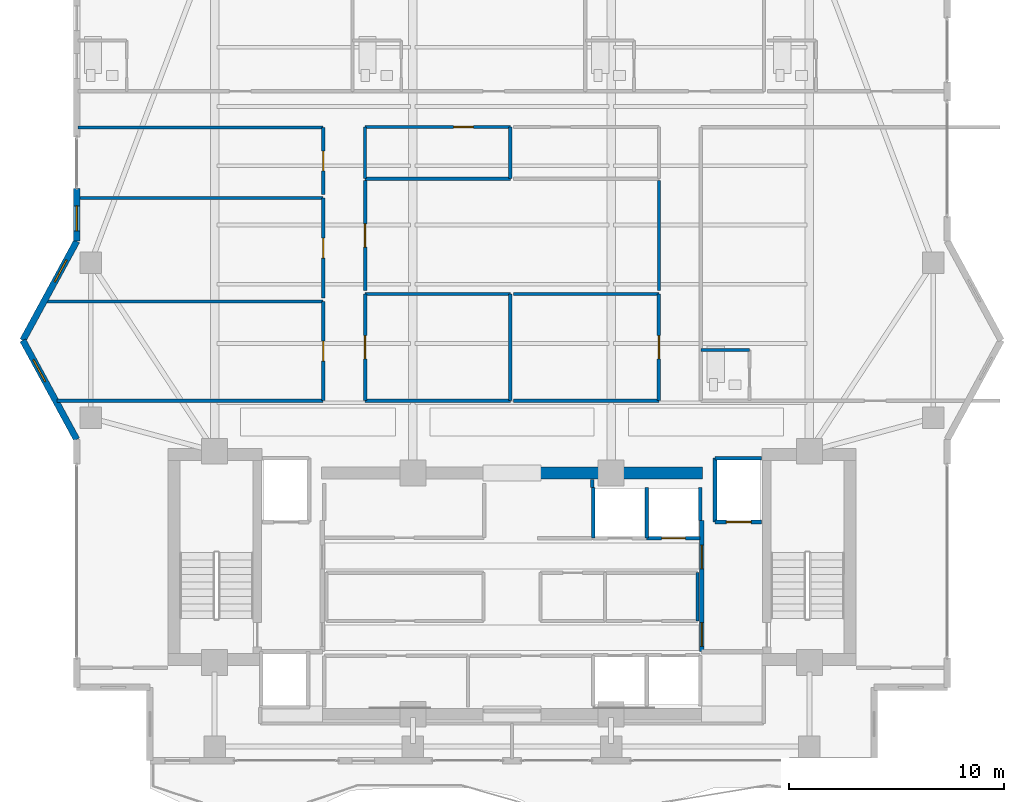
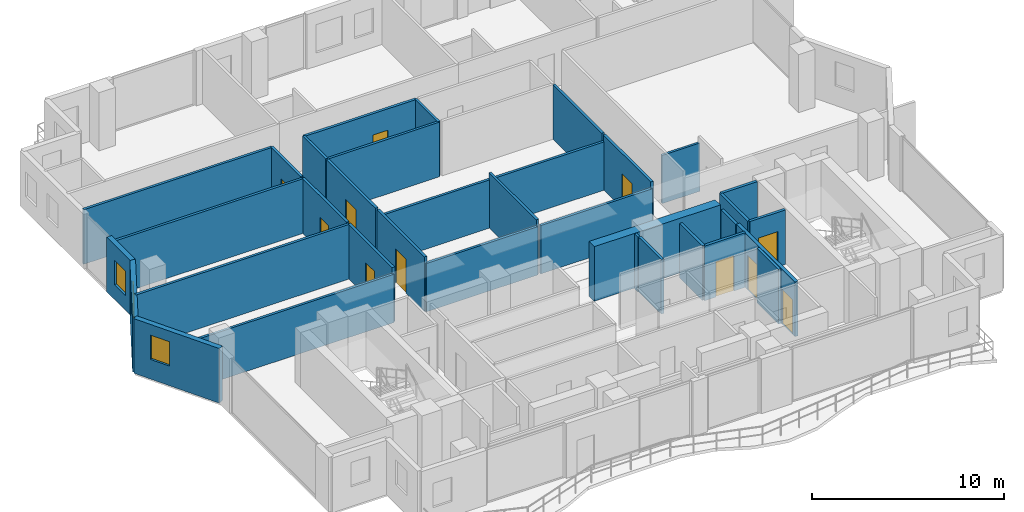
# One storey, part 18 of 23: 35 walls, 11 doors, 3 windows, 14 openings.
"""IFC4 building model written with IfcOpenShell, lengths in metres."""

from ifc_helpers import new_model, si_unit, direction, frame, frame_2d, origin, place, context, subcontext, project, spatial, rectangle, extrude, material, layer, layer_set, type_object, element, fill, save


model = new_model("IFC4")

# Units and contexts
model_context = context("Model", 3, precision=1e-05, world=origin(), true_north=direction((0.0, 1.0)))
body_context = subcontext(model_context, "Body", "Model", "MODEL_VIEW")
ifc_project = project(units=[si_unit("LENGTHUNIT", "METRE"), si_unit("AREAUNIT", "SQUARE_METRE"), si_unit("VOLUMEUNIT", "CUBIC_METRE"), si_unit("PLANEANGLEUNIT", "RADIAN"), si_unit("MASSUNIT", "GRAM", prefix="KILO")], contexts=[model_context])

# Site, building, storey
site_placement = place(None, origin())
site = spatial("IfcSite", under=ifc_project, at=site_placement, CompositionType="ELEMENT")
building_placement = place(site_placement, origin())
building = spatial("IfcBuilding", under=site, at=building_placement, Name="Zuhayl Quay Hotel", CompositionType="ELEMENT")
storey_placement = place(building_placement, frame((0.0, 0.0, 261.85009765625)))
storey = spatial("IfcBuildingStorey", under=building, at=storey_placement, Name="L66", CompositionType="ELEMENT", Elevation=261.85009765625)

# Wall
ifc_material_1 = material(Name="Concrete C50/60", Category="concrete")
ifc_layer_1 = layer(ifc_material_1, 0.550048828125, Name="Concrete C50/60", Category="concrete")
ifc_layer_set_1 = layer_set([ifc_layer_1], Name="Concrete C50/60")
wall_type_1 = type_object("IfcWallType", Name="WL_CORE_550", PredefinedType="SHEAR", material=ifc_layer_set_1)
wall_1_placement = place(storey_placement, frame((1.25, 13.35009765625, 0.0), z_axis=(0.0, 0.0, 1.0), x_axis=(1.0, 0.0, 0.0)))
element("IfcWall", 1, at=wall_1_placement, inside=storey, type_object=wall_type_1, Name="L66 Core Shear Wall CW_NC_E", PredefinedType="SHEAR", context=body_context, shape_type="SweptSolid", body=[
    extrude(rectangle(XDim=7.60009765625, YDim=0.550048828125, at=frame_2d((3.800048828125, 0.0))), origin(), (0.0, 0.0, 1.0), 3.47998046875),
])

# Wall, opening, window
ifc_material_2 = material(Name="Precast concrete C45/55", Category="concrete")
ifc_layer_2 = layer(ifc_material_2, 0.300048828125, Name="Precast concrete C45/55", Category="concrete")
ifc_layer_set_2 = layer_set([ifc_layer_2], Name="Precast concrete C45/55")
wall_type_2 = type_object("IfcWallType", Name="WL_EXT_300", PredefinedType="STANDARD", material=ifc_layer_set_2)
wall_2_placement = place(storey_placement, frame((-20.199951171875, 14.89990234375, 0.0), z_axis=(0.0, 0.0, 1.0), x_axis=(-0.477505494629, 0.878628762675, 0.0)))
wall_2 = element("IfcWall", 2, at=wall_2_placement, inside=storey, type_object=wall_type_2, Name="L66 Exterior Precast Wall ENV_L66_EW03", PredefinedType="STANDARD", context=body_context, shape_type="SweptSolid", body=[
    extrude(rectangle(XDim=5.235595703125, YDim=0.300048828125, at=frame_2d((2.61767578125, 0.0))), origin(), (0.0, 0.0, 1.0), 3.47998046875),
])
opening_1_placement = place(wall_2_placement, frame((3.062744140625, 0.0, 1.25)))
opening_1 = element("IfcOpeningElement", 3, at=opening_1_placement, cuts=wall_2, Name="Opening W01N", PredefinedType="OPENING", context=body_context, shape_type="SweptSolid", body=[
    extrude(rectangle(XDim=1.14990234375, YDim=1.550048828125, at=frame_2d((0.574951171875, 0.77490234375))), frame((0.0, 0.159912109375, 0.0), z_axis=(0.0, -1.0, 0.0), x_axis=(1.0, 0.0, 0.0)), (0.0, 0.0, 1.0), 0.320068359375),
])
ifc_material_3 = material(Name="Dark Ceramic-Fritted Solar Glass", Category="glass")
window_type = type_object("IfcWindowType", Name="WN_NOTCH_1350", PartitioningType="SINGLE_PANEL", PredefinedType="WINDOW", material=ifc_material_3)
window_1_placement = place(opening_1_placement, origin())
window_1 = element("IfcWindow", 4, at=window_1_placement, inside=storey, type_object=window_type, Name="L66 Corner Notch Window 3", OverallHeight=1.550048828125, OverallWidth=1.14990234375, PartitioningType="SINGLE_PANEL", PredefinedType="WINDOW", context=body_context, shape_type="SweptSolid", body=[
    extrude(rectangle(XDim=1.14990234375, YDim=1.550048828125, at=frame_2d((0.574951171875, 0.77490234375))), frame((0.0, 0.030029296875, 0.0), z_axis=(0.0, -1.0, 0.0), x_axis=(1.0, 0.0, 0.0)), (0.0, 0.0, 1.0), 0.06005859375),
])
fill(opening_1, window_1)

wall_3_placement = place(storey_placement, frame((-22.699951171875, 19.5, 0.0), z_axis=(0.0, 0.0, 1.0), x_axis=(0.477505494629, 0.878628762675, 0.0)))
wall_3 = element("IfcWall", 5, at=wall_3_placement, inside=storey, type_object=wall_type_2, Name="L66 Exterior Precast Wall ENV_L66_EW04", PredefinedType="STANDARD", context=body_context, shape_type="SweptSolid", body=[
    extrude(rectangle(XDim=5.235595703125, YDim=0.300048828125, at=frame_2d((2.61767578125, 0.0))), origin(), (0.0, 0.0, 1.0), 3.47998046875),
])
opening_2_placement = place(wall_3_placement, frame((3.09130859375, 0.0, 1.25)))
opening_2 = element("IfcOpeningElement", 6, at=opening_2_placement, cuts=wall_3, Name="Opening W01N", PredefinedType="OPENING", context=body_context, shape_type="SweptSolid", body=[
    extrude(rectangle(XDim=1.14990234375, YDim=1.550048828125, at=frame_2d((0.574951171875, 0.77490234375))), frame((0.0, 0.159912109375, 0.0), z_axis=(0.0, -1.0, 0.0), x_axis=(1.0, 0.0, 0.0)), (0.0, 0.0, 1.0), 0.320068359375),
])
window_2_placement = place(opening_2_placement, origin())
window_2 = element("IfcWindow", 7, at=window_2_placement, inside=storey, type_object=window_type, Name="L66 Corner Notch Window 4", OverallHeight=1.550048828125, OverallWidth=1.14990234375, PartitioningType="SINGLE_PANEL", PredefinedType="WINDOW", context=body_context, shape_type="SweptSolid", body=[
    extrude(rectangle(XDim=1.14990234375, YDim=1.550048828125, at=frame_2d((0.574951171875, 0.77490234375))), frame((0.0, 0.030029296875, 0.0), z_axis=(0.0, -1.0, 0.0), x_axis=(1.0, 0.0, 0.0)), (0.0, 0.0, 1.0), 0.06005859375),
])
fill(opening_2, window_2)

wall_4_placement = place(storey_placement, frame((-20.199951171875, 24.10009765625, 0.0), z_axis=(0.0, 0.0, 1.0), x_axis=(0.0, 1.0, 0.0)))
wall_4 = element("IfcWall", 8, at=wall_4_placement, inside=storey, type_object=wall_type_2, Name="L66 Exterior Precast Wall ENV_L66_E05_EW1", PredefinedType="STANDARD", context=body_context, shape_type="SweptSolid", body=[
    extrude(rectangle(XDim=2.449951171875, YDim=0.300048828125, at=frame_2d((1.22509765625, 0.0))), origin(), (0.0, 0.0, 1.0), 3.47998046875),
])
opening_3_placement = place(wall_4_placement, frame((0.485107421875, 0.0, 0.949951171875)))
opening_3 = element("IfcOpeningElement", 9, at=opening_3_placement, cuts=wall_4, Name="Opening W01N", PredefinedType="OPENING", context=body_context, shape_type="SweptSolid", body=[
    extrude(rectangle(XDim=1.14990234375, YDim=1.550048828125, at=frame_2d((0.574951171875, 0.77490234375))), frame((0.0, 0.159912109375, 0.0), z_axis=(0.0, -1.0, 0.0), x_axis=(1.0, 0.0, 0.0)), (0.0, 0.0, 1.0), 0.320068359375),
])
window_3_placement = place(opening_3_placement, origin())
window_3 = element("IfcWindow", 10, at=window_3_placement, inside=storey, type_object=window_type, Name="L66 Operable Facade Window 1-1", OverallHeight=1.550048828125, OverallWidth=1.14990234375, PartitioningType="SINGLE_PANEL", PredefinedType="WINDOW", context=body_context, shape_type="SweptSolid", body=[
    extrude(rectangle(XDim=1.14990234375, YDim=1.550048828125, at=frame_2d((0.574951171875, 0.77490234375))), frame((0.0, 0.030029296875, 0.0), z_axis=(0.0, -1.0, 0.0), x_axis=(1.0, 0.0, 0.0)), (0.0, 0.0, 1.0), 0.06005859375),
])
fill(opening_3, window_3)

# Walls
ifc_material_4 = material(Name="Acoustic Gypsum Partition STC-58")
ifc_layer_3 = layer(ifc_material_4, 0.14990234375, Name="Acoustic Gypsum Partition STC-58")
ifc_layer_set_3 = layer_set([ifc_layer_3], Name="Acoustic Gypsum Partition STC-58")
wall_type_3 = type_object("IfcWallType", Name="WL_PART_150", PredefinedType="PARTITIONING", material=ifc_layer_set_3)
wall_5_placement = place(storey_placement, frame((8.610107421875, 6.47998046875, 0.0), z_axis=(0.0, 0.0, 1.0), x_axis=(0.0, 1.0, 0.0)))
element("IfcWall", 11, at=wall_5_placement, inside=storey, type_object=wall_type_3, Name="L66 Partition IW_L66_CORE_LN_E", PredefinedType="PARTITIONING", context=body_context, shape_type="SweptSolid", body=[
    extrude(rectangle(XDim=2.239990234375, YDim=0.14990234375, at=frame_2d((1.1201171875, 0.0))), origin(), (0.0, 0.0, 1.0), 3.47998046875),
])
wall_6_placement = place(storey_placement, frame((3.719970703125, 12.679931640625, 0.0), z_axis=(0.0, 0.0, 1.0), x_axis=(0.0, 1.0, 0.0)))
element("IfcWall", 12, at=wall_6_placement, inside=storey, type_object=wall_type_3, Name="L66 Partition IW_L66_VEST_MP4_E", PredefinedType="PARTITIONING", context=body_context, shape_type="SweptSolid", body=[
    extrude(rectangle(XDim=0.3701171875, YDim=0.14990234375, at=frame_2d((0.18505859375, 0.0))), origin(), (0.0, 0.0, 1.0), 3.47998046875),
])
wall_7_placement = place(storey_placement, frame((-6.820068359375, 27.0, 0.0), z_axis=(0.0, 0.0, 1.0), x_axis=(1.0, 0.0, 0.0)))
element("IfcWall", 13, at=wall_7_placement, inside=storey, type_object=wall_type_3, Name="L66 Partition IW_L66_HK_MAIN_S", PredefinedType="PARTITIONING", context=body_context, shape_type="SweptSolid", body=[
    extrude(rectangle(XDim=6.739990234375, YDim=0.14990234375, at=frame_2d((3.3701171875, 0.0))), origin(), (0.0, 0.0, 1.0), 3.47998046875),
])
for number, where, z_axis, x_axis, name in (
    (14, (-6.820068359375, 27.0, 0.0), (0.0, 0.0, 1.0), (0.0, 1.0, 0.0), "L66 Partition IW_L66_HK_MAIN_W"),
    (15, (-0.080078125, 27.0, 0.0), (0.0, 0.0, 1.0), (0.0, 1.0, 0.0), "L66 Partition IW_L66_HK_MAIN_E"),
):
    element("IfcWall", number, at=place(storey_placement, frame(where, z_axis=z_axis, x_axis=x_axis)), inside=storey, type_object=wall_type_3, Name=name, PredefinedType="PARTITIONING", context=body_context, shape_type="SweptSolid", body=[
        extrude(rectangle(XDim=2.39990234375, YDim=0.14990234375, at=frame_2d((1.199951171875, 0.0))), origin(), (0.0, 0.0, 1.0), 3.47998046875),
    ])
for number, where, z_axis, x_axis, name in (
    (16, (-6.820068359375, 16.699951171875, 0.0), (0.0, 0.0, 1.0), (1.0, 0.0, 0.0), "L66 Partition IW_L66_Z4_CT1A_S"),
    (17, (-6.820068359375, 21.64990234375, 0.0), (0.0, 0.0, 1.0), (1.0, 0.0, 0.0), "L66 Partition IW_L66_Z4_CT1A_N"),
):
    element("IfcWall", number, at=place(storey_placement, frame(where, z_axis=z_axis, x_axis=x_axis)), inside=storey, type_object=wall_type_3, Name=name, PredefinedType="PARTITIONING", context=body_context, shape_type="SweptSolid", body=[
        extrude(rectangle(XDim=6.739990234375, YDim=0.14990234375, at=frame_2d((3.3701171875, 0.0))), origin(), (0.0, 0.0, 1.0), 3.075927734375),
    ])
wall_8_placement = place(storey_placement, frame((-0.080078125, 16.699951171875, 0.0), z_axis=(0.0, 0.0, 1.0), x_axis=(0.0, 1.0, 0.0)))
element("IfcWall", 18, at=wall_8_placement, inside=storey, type_object=wall_type_3, Name="L66 Partition IW_L66_Z4_CT1A_E", PredefinedType="PARTITIONING", context=body_context, shape_type="SweptSolid", body=[
    extrude(rectangle(XDim=4.949951171875, YDim=0.14990234375, at=frame_2d((2.47509765625, 0.0))), origin(), (0.0, 0.0, 1.0), 3.47998046875),
])
for number, where, z_axis, x_axis, name in (
    (19, (0.080078125, 16.699951171875, 0.0), (0.0, 0.0, 1.0), (1.0, 0.0, 0.0), "L66 Partition IW_L66_Z4_CT1B_S"),
    (20, (0.080078125, 21.64990234375, 0.0), (0.0, 0.0, 1.0), (1.0, 0.0, 0.0), "L66 Partition IW_L66_Z4_CT1B_N"),
):
    element("IfcWall", number, at=place(storey_placement, frame(where, z_axis=z_axis, x_axis=x_axis)), inside=storey, type_object=wall_type_3, Name=name, PredefinedType="PARTITIONING", context=body_context, shape_type="SweptSolid", body=[
        extrude(rectangle(XDim=6.739990234375, YDim=0.14990234375, at=frame_2d((3.3701171875, 0.0))), origin(), (0.0, 0.0, 1.0), 3.075927734375),
    ])
wall_9_placement = place(storey_placement, frame((6.820068359375, 21.81005859375, 0.0), z_axis=(0.0, 0.0, 1.0), x_axis=(0.0, 1.0, 0.0)))
element("IfcWall", 21, at=wall_9_placement, inside=storey, type_object=wall_type_3, Name="L66 Partition IW_L66_Z4_CT2_E", PredefinedType="PARTITIONING", context=body_context, shape_type="SweptSolid", body=[
    extrude(rectangle(XDim=5.10986328125, YDim=0.14990234375, at=frame_2d((2.554931640625, 0.0))), origin(), (0.0, 0.0, 1.0), 3.47998046875),
])
wall_10_placement = place(storey_placement, frame((-21.118408203125, 16.699951171875, 0.0), z_axis=(0.0, 0.0, 1.0), x_axis=(1.0, 0.0, 0.0)))
element("IfcWall", 22, at=wall_10_placement, inside=storey, type_object=wall_type_3, Name="L66 Partition IW_L66_Z4_W1_S", PredefinedType="PARTITIONING", context=body_context, shape_type="SweptSolid", body=[
    extrude(rectangle(XDim=12.3583984375, YDim=0.14990234375, at=frame_2d((6.17919921875, 0.0))), origin(), (0.0, 0.0, 1.0), 3.075927734375),
])
wall_11_placement = place(storey_placement, frame((-21.66162109375, 21.300048828125, 0.0), z_axis=(0.0, 0.0, 1.0), x_axis=(1.0, 0.0, 0.0)))
element("IfcWall", 23, at=wall_11_placement, inside=storey, type_object=wall_type_3, Name="L66 Partition IW_L66_Z4_W1_N", PredefinedType="PARTITIONING", context=body_context, shape_type="SweptSolid", body=[
    extrude(rectangle(XDim=12.901611328125, YDim=0.14990234375, at=frame_2d((6.45068359375, 0.0))), origin(), (0.0, 0.0, 1.0), 3.47998046875),
])
for number, where, z_axis, x_axis, name in (
    (24, (-20.139892578125, 26.10009765625, 0.0), (0.0, 0.0, 1.0), (1.0, 0.0, 0.0), "L66 Partition IW_L66_Z4_W2_N"),
    (25, (-20.139892578125, 29.3798828125, 0.0), (0.0, 0.0, 1.0), (1.0, 0.0, 0.0), "L66 Partition IW_L66_Z4_W3_N"),
):
    element("IfcWall", number, at=place(storey_placement, frame(where, z_axis=z_axis, x_axis=x_axis)), inside=storey, type_object=wall_type_3, Name=name, PredefinedType="PARTITIONING", context=body_context, shape_type="SweptSolid", body=[
        extrude(rectangle(XDim=11.3798828125, YDim=0.14990234375, at=frame_2d((5.68994140625, 0.0))), origin(), (0.0, 0.0, 1.0), 3.47998046875),
    ])

# Wall, opening, door
ifc_layer_4 = layer(ifc_material_4, 0.159912109375, Name="Acoustic Gypsum Partition STC-58")
ifc_layer_set_4 = layer_set([ifc_layer_4], Name="Acoustic Gypsum Partition STC-58")
wall_type_4 = type_object("IfcWallType", Name="WL_PART_CORR_160", PredefinedType="PARTITIONING", material=ifc_layer_set_4)
wall_12_placement = place(storey_placement, frame((-6.820068359375, 29.39990234375, 0.0), z_axis=(0.0, 0.0, 1.0), x_axis=(1.0, 0.0, 0.0)))
wall_12 = element("IfcWall", 26, at=wall_12_placement, inside=storey, type_object=wall_type_4, Name="L66 Partition IW_L66_HK_MAIN_N", PredefinedType="PARTITIONING", context=body_context, shape_type="SweptSolid", body=[
    extrude(rectangle(XDim=6.739990234375, YDim=0.159912109375, at=frame_2d((3.3701171875, 0.0))), origin(), (0.0, 0.0, 1.0), 3.47998046875),
])
opening_4_placement = place(wall_12_placement, frame((4.110107421875, 0.0, 0.0)))
opening_4 = element("IfcOpeningElement", 27, at=opening_4_placement, cuts=wall_12, Name="Opening D05", PredefinedType="OPENING", context=body_context, shape_type="SweptSolid", body=[
    extrude(rectangle(XDim=0.919921875, YDim=2.1201171875, at=frame_2d((0.4599609375, 1.06005859375))), frame((0.0, 0.08984375, 0.0), z_axis=(0.0, -1.0, 0.0), x_axis=(1.0, 0.0, 0.0)), (0.0, 0.0, 1.0), 0.179931640625),
])
ifc_material_5 = material(Name="Solid Walnut Acoustic Fire Door")
door_type_1 = type_object("IfcDoorType", Name="DR_INT_950", OperationType="NOTDEFINED", PredefinedType="DOOR", material=ifc_material_5)
door_1_placement = place(opening_4_placement, origin())
door_1 = element("IfcDoor", 28, at=door_1_placement, inside=storey, type_object=door_type_1, Name="L66 Housekeeping and Linen Room Door", OperationType="SINGLE_SWING_RIGHT", OverallHeight=2.1201171875, OverallWidth=0.919921875, PredefinedType="DOOR", context=body_context, shape_type="SweptSolid", body=[
    extrude(rectangle(XDim=0.919921875, YDim=2.1201171875, at=frame_2d((0.4599609375, 1.06005859375))), frame((0.0, 0.02490234375, 0.0), z_axis=(0.0, -1.0, 0.0), x_axis=(1.0, 0.0, 0.0)), (0.0, 0.0, 1.0), 0.050048828125),
])
fill(opening_4, door_1)

wall_13_placement = place(storey_placement, frame((-6.820068359375, 16.699951171875, 0.0), z_axis=(0.0, 0.0, 1.0), x_axis=(0.0, 1.0, 0.0)))
wall_13 = element("IfcWall", 29, at=wall_13_placement, inside=storey, type_object=wall_type_4, Name="L66 Partition IW_L66_Z4_CT1A_W", PredefinedType="PARTITIONING", context=body_context, shape_type="SweptSolid", body=[
    extrude(rectangle(XDim=4.949951171875, YDim=0.159912109375, at=frame_2d((2.47509765625, 0.0))), origin(), (0.0, 0.0, 1.0), 3.47998046875),
])
opening_5_placement = place(wall_13_placement, frame((1.93505859375, 0.0, 0.0)))
opening_5 = element("IfcOpeningElement", 30, at=opening_5_placement, cuts=wall_13, Name="Opening D05A", PredefinedType="OPENING", context=body_context, shape_type="SweptSolid", body=[
    extrude(rectangle(XDim=1.080078125, YDim=2.179931640625, at=frame_2d((0.5400390625, 1.08984375))), frame((0.0, 0.08984375, 0.0), z_axis=(0.0, -1.0, 0.0), x_axis=(1.0, 0.0, 0.0)), (0.0, 0.0, 1.0), 0.179931640625),
])
door_type_2 = type_object("IfcDoorType", Name="DR_INT_1100", OperationType="NOTDEFINED", PredefinedType="DOOR", material=ifc_material_5)
door_2_placement = place(opening_5_placement, origin())
door_2 = element("IfcDoor", 31, at=door_2_placement, inside=storey, type_object=door_type_2, Name="L66 Sky Reading Study Door", OperationType="SINGLE_SWING_RIGHT", OverallHeight=2.179931640625, OverallWidth=1.080078125, PredefinedType="DOOR", context=body_context, shape_type="SweptSolid", body=[
    extrude(rectangle(XDim=1.080078125, YDim=2.179931640625, at=frame_2d((0.5400390625, 1.08984375))), frame((0.0, 0.02490234375, 0.0), z_axis=(0.0, -1.0, 0.0), x_axis=(1.0, 0.0, 0.0)), (0.0, 0.0, 1.0), 0.050048828125),
])
fill(opening_5, door_2)

wall_14_placement = place(storey_placement, frame((6.820068359375, 16.699951171875, 0.0), z_axis=(0.0, 0.0, 1.0), x_axis=(0.0, 1.0, 0.0)))
wall_14 = element("IfcWall", 32, at=wall_14_placement, inside=storey, type_object=wall_type_4, Name="L66 Partition IW_L66_Z4_CT1B_E", PredefinedType="PARTITIONING", context=body_context, shape_type="SweptSolid", body=[
    extrude(rectangle(XDim=4.949951171875, YDim=0.159912109375, at=frame_2d((2.47509765625, 0.0))), origin(), (0.0, 0.0, 1.0), 3.47998046875),
])
opening_6_placement = place(wall_14_placement, frame((1.93505859375, 0.0, 0.0)))
opening_6 = element("IfcOpeningElement", 33, at=opening_6_placement, cuts=wall_14, Name="Opening D05A", PredefinedType="OPENING", context=body_context, shape_type="SweptSolid", body=[
    extrude(rectangle(XDim=1.080078125, YDim=2.179931640625, at=frame_2d((0.5400390625, 1.08984375))), frame((0.0, 0.08984375, 0.0), z_axis=(0.0, -1.0, 0.0), x_axis=(1.0, 0.0, 0.0)), (0.0, 0.0, 1.0), 0.179931640625),
])
door_3_placement = place(opening_6_placement, origin())
door_3 = element("IfcDoor", 34, at=door_3_placement, inside=storey, type_object=door_type_2, Name="L66 Royal Library Lounge Door", OperationType="SINGLE_SWING_LEFT", OverallHeight=2.179931640625, OverallWidth=1.080078125, PredefinedType="DOOR", context=body_context, shape_type="SweptSolid", body=[
    extrude(rectangle(XDim=1.080078125, YDim=2.179931640625, at=frame_2d((0.5400390625, 1.08984375))), frame((0.0, 0.02490234375, 0.0), z_axis=(0.0, -1.0, 0.0), x_axis=(1.0, 0.0, 0.0)), (0.0, 0.0, 1.0), 0.050048828125),
])
fill(opening_6, door_3)

wall_15_placement = place(storey_placement, frame((-6.820068359375, 21.81005859375, 0.0), z_axis=(0.0, 0.0, 1.0), x_axis=(0.0, 1.0, 0.0)))
wall_15 = element("IfcWall", 35, at=wall_15_placement, inside=storey, type_object=wall_type_4, Name="L66 Partition IW_L66_Z4_CT2_W", PredefinedType="PARTITIONING", context=body_context, shape_type="SweptSolid", body=[
    extrude(rectangle(XDim=5.10986328125, YDim=0.159912109375, at=frame_2d((2.554931640625, 0.0))), origin(), (0.0, 0.0, 1.0), 3.47998046875),
])
opening_7_placement = place(wall_15_placement, frame((2.014892578125, 0.0, 0.0)))
opening_7 = element("IfcOpeningElement", 36, at=opening_7_placement, cuts=wall_15, Name="Opening D05A", PredefinedType="OPENING", context=body_context, shape_type="SweptSolid", body=[
    extrude(rectangle(XDim=1.080078125, YDim=2.179931640625, at=frame_2d((0.5400390625, 1.08984375))), frame((0.0, 0.08984375, 0.0), z_axis=(0.0, -1.0, 0.0), x_axis=(1.0, 0.0, 0.0)), (0.0, 0.0, 1.0), 0.179931640625),
])
door_4_placement = place(opening_7_placement, origin())
door_4 = element("IfcDoor", 37, at=door_4_placement, inside=storey, type_object=door_type_2, Name="L66 Royal Screening Salon Door", OperationType="SINGLE_SWING_RIGHT", OverallHeight=2.179931640625, OverallWidth=1.080078125, PredefinedType="DOOR", context=body_context, shape_type="SweptSolid", body=[
    extrude(rectangle(XDim=1.080078125, YDim=2.179931640625, at=frame_2d((0.5400390625, 1.08984375))), frame((0.0, 0.02490234375, 0.0), z_axis=(0.0, -1.0, 0.0), x_axis=(1.0, 0.0, 0.0)), (0.0, 0.0, 1.0), 0.050048828125),
])
fill(opening_7, door_4)

wall_16_placement = place(storey_placement, frame((-8.760009765625, 16.699951171875, 0.0), z_axis=(0.0, 0.0, 1.0), x_axis=(0.0, 1.0, 0.0)))
wall_16 = element("IfcWall", 38, at=wall_16_placement, inside=storey, type_object=wall_type_4, Name="L66 Partition IW_L66_Z4_W1_E", PredefinedType="PARTITIONING", context=body_context, shape_type="SweptSolid", body=[
    extrude(rectangle(XDim=4.60009765625, YDim=0.159912109375, at=frame_2d((2.300048828125, 0.0))), origin(), (0.0, 0.0, 1.0), 3.47998046875),
])
opening_8_placement = place(wall_16_placement, frame((1.840087890625, 0.0, 0.0)))
opening_8 = element("IfcOpeningElement", 39, at=opening_8_placement, cuts=wall_16, Name="Opening D05", PredefinedType="OPENING", context=body_context, shape_type="SweptSolid", body=[
    extrude(rectangle(XDim=0.919921875, YDim=2.1201171875, at=frame_2d((0.4599609375, 1.06005859375))), frame((0.0, 0.08984375, 0.0), z_axis=(0.0, -1.0, 0.0), x_axis=(1.0, 0.0, 0.0)), (0.0, 0.0, 1.0), 0.179931640625),
])
door_5_placement = place(opening_8_placement, origin())
door_5 = element("IfcDoor", 40, at=door_5_placement, inside=storey, type_object=door_type_1, Name="L66 West Gallery Salon Door", OperationType="SINGLE_SWING_LEFT", OverallHeight=2.1201171875, OverallWidth=0.919921875, PredefinedType="DOOR", context=body_context, shape_type="SweptSolid", body=[
    extrude(rectangle(XDim=0.919921875, YDim=2.1201171875, at=frame_2d((0.4599609375, 1.06005859375))), frame((0.0, 0.02490234375, 0.0), z_axis=(0.0, -1.0, 0.0), x_axis=(1.0, 0.0, 0.0)), (0.0, 0.0, 1.0), 0.050048828125),
])
fill(opening_8, door_5)

wall_17_placement = place(storey_placement, frame((-8.760009765625, 21.4599609375, 0.0), z_axis=(0.0, 0.0, 1.0), x_axis=(0.0, 1.0, 0.0)))
wall_17 = element("IfcWall", 41, at=wall_17_placement, inside=storey, type_object=wall_type_4, Name="L66 Partition IW_L66_Z4_W2_E", PredefinedType="PARTITIONING", context=body_context, shape_type="SweptSolid", body=[
    extrude(rectangle(XDim=4.64013671875, YDim=0.159912109375, at=frame_2d((2.320068359375, 0.0))), origin(), (0.0, 0.0, 1.0), 3.47998046875),
])
opening_9_placement = place(wall_17_placement, frame((1.860107421875, 0.0, 0.0)))
opening_9 = element("IfcOpeningElement", 42, at=opening_9_placement, cuts=wall_17, Name="Opening D05", PredefinedType="OPENING", context=body_context, shape_type="SweptSolid", body=[
    extrude(rectangle(XDim=0.919921875, YDim=2.1201171875, at=frame_2d((0.4599609375, 1.06005859375))), frame((0.0, 0.08984375, 0.0), z_axis=(0.0, -1.0, 0.0), x_axis=(1.0, 0.0, 0.0)), (0.0, 0.0, 1.0), 0.179931640625),
])
door_6_placement = place(opening_9_placement, origin())
door_6 = element("IfcDoor", 43, at=door_6_placement, inside=storey, type_object=door_type_1, Name="L66 West Music Salon Door", OperationType="SINGLE_SWING_RIGHT", OverallHeight=2.1201171875, OverallWidth=0.919921875, PredefinedType="DOOR", context=body_context, shape_type="SweptSolid", body=[
    extrude(rectangle(XDim=0.919921875, YDim=2.1201171875, at=frame_2d((0.4599609375, 1.06005859375))), frame((0.0, 0.02490234375, 0.0), z_axis=(0.0, -1.0, 0.0), x_axis=(1.0, 0.0, 0.0)), (0.0, 0.0, 1.0), 0.050048828125),
])
fill(opening_9, door_6)

wall_18_placement = place(storey_placement, frame((-8.760009765625, 26.260009765625, 0.0), z_axis=(0.0, 0.0, 1.0), x_axis=(0.0, 1.0, 0.0)))
wall_18 = element("IfcWall", 44, at=wall_18_placement, inside=storey, type_object=wall_type_4, Name="L66 Partition IW_L66_Z4_W3_E", PredefinedType="PARTITIONING", context=body_context, shape_type="SweptSolid", body=[
    extrude(rectangle(XDim=3.119873046875, YDim=0.159912109375, at=frame_2d((1.56005859375, 0.0))), origin(), (0.0, 0.0, 1.0), 3.47998046875),
])
opening_10_placement = place(wall_18_placement, frame((1.10009765625, 0.0, 0.0)))
opening_10 = element("IfcOpeningElement", 45, at=opening_10_placement, cuts=wall_18, Name="Opening D05", PredefinedType="OPENING", context=body_context, shape_type="SweptSolid", body=[
    extrude(rectangle(XDim=0.919921875, YDim=2.1201171875, at=frame_2d((0.4599609375, 1.06005859375))), frame((0.0, 0.08984375, 0.0), z_axis=(0.0, -1.0, 0.0), x_axis=(1.0, 0.0, 0.0)), (0.0, 0.0, 1.0), 0.179931640625),
])
door_7_placement = place(opening_10_placement, origin())
door_7 = element("IfcDoor", 46, at=door_7_placement, inside=storey, type_object=door_type_1, Name="L66 West Tea Conservatory Door", OperationType="SINGLE_SWING_LEFT", OverallHeight=2.1201171875, OverallWidth=0.919921875, PredefinedType="DOOR", context=body_context, shape_type="SweptSolid", body=[
    extrude(rectangle(XDim=0.919921875, YDim=2.1201171875, at=frame_2d((0.4599609375, 1.06005859375))), frame((0.0, 0.02490234375, 0.0), z_axis=(0.0, -1.0, 0.0), x_axis=(1.0, 0.0, 0.0)), (0.0, 0.0, 1.0), 0.050048828125),
])
fill(opening_10, door_7)

# Wall
ifc_material_6 = material(Name="Moisture-Resistant Sanitarychase Gypsum")
ifc_layer_5 = layer(ifc_material_6, 0.135009765625, Name="Moisture-Resistant Sanitarychase Gypsum")
ifc_layer_set_5 = layer_set([ifc_layer_5], Name="Moisture-Resistant Sanitarychase Gypsum")
wall_type_5 = type_object("IfcWallType", Name="WL_PART_PLUMB_150", PredefinedType="PLUMBINGWALL", material=ifc_layer_set_5)
wall_19_placement = place(storey_placement, frame((8.760009765625, 19.06005859375, 0.0), z_axis=(0.0, 0.0, 1.0), x_axis=(1.0, 0.0, 0.0)))
element("IfcWall", 47, at=wall_19_placement, inside=storey, type_object=wall_type_5, Name="L66 Partition IW_L66_EU01_BN", PredefinedType="PLUMBINGWALL", context=body_context, shape_type="SweptSolid", body=[
    extrude(rectangle(XDim=2.260009765625, YDim=0.135009765625, at=frame_2d((1.1298828125, 0.0))), origin(), (0.0, 0.0, 1.0), 3.075927734375),
])

# Wall, opening, door
ifc_material_7 = material(Name="Gypsum Fireboard Assembly EI-90")
ifc_layer_6 = layer(ifc_material_7, 0.1650390625, Name="Gypsum Fireboard Assembly EI-90")
ifc_layer_set_6 = layer_set([ifc_layer_6], Name="Gypsum Fireboard Assembly EI-90")
wall_type_6 = type_object("IfcWallType", Name="WL_PART_SHAFT_160", PredefinedType="PARTITIONING", material=ifc_layer_set_6)
wall_20_placement = place(storey_placement, frame((9.419921875, 11.070068359375, 0.0), z_axis=(0.0, 0.0, 1.0), x_axis=(1.0, 0.0, 0.0)))
wall_20 = element("IfcWall", 48, at=wall_20_placement, inside=storey, type_object=wall_type_6, Name="L66 Partition IW_L66_SH_FL2_F", PredefinedType="PARTITIONING", context=body_context, shape_type="SweptSolid", body=[
    extrude(rectangle(XDim=2.16015625, YDim=0.1650390625, at=frame_2d((1.080078125, 0.0))), origin(), (0.0, 0.0, 1.0), 3.47998046875),
])
opening_11_placement = place(wall_20_placement, frame((0.530029296875, 0.0, 0.0)))
opening_11 = element("IfcOpeningElement", 49, at=opening_11_placement, cuts=wall_20, Name="Opening LD2", PredefinedType="OPENING", context=body_context, shape_type="SweptSolid", body=[
    extrude(rectangle(XDim=1.14990234375, YDim=2.25, at=frame_2d((0.574951171875, 1.125))), frame((0.0, 0.092529296875, 0.0), z_axis=(0.0, -1.0, 0.0), x_axis=(1.0, 0.0, 0.0)), (0.0, 0.0, 1.0), 0.18505859375),
])
ifc_material_8 = material(Name="Brushed Stainless Steel", Category="steel")
door_type_3 = type_object("IfcDoorType", Name="DR_LIFT_FF_1100", OperationType="SLIDING_TO_LEFT", PredefinedType="DOOR", material=ifc_material_8)
door_8_placement = place(opening_11_placement, origin())
door_8 = element("IfcDoor", 50, at=door_8_placement, inside=storey, type_object=door_type_3, Name="L66 Lift FL2 Sliding Landing Door", OperationType="SLIDING_TO_LEFT", OverallHeight=2.25, OverallWidth=1.14990234375, PredefinedType="DOOR", context=body_context, shape_type="SweptSolid", body=[
    extrude(rectangle(XDim=1.14990234375, YDim=2.25, at=frame_2d((0.574951171875, 1.125))), frame((0.0, 0.02490234375, 0.0), z_axis=(0.0, -1.0, 0.0), x_axis=(1.0, 0.0, 0.0)), (0.0, 0.0, 1.0), 0.050048828125),
])
fill(opening_11, door_8)

wall_21_placement = place(storey_placement, frame((6.25, 10.320068359375, 0.0), z_axis=(0.0, 0.0, 1.0), x_axis=(1.0, 0.0, 0.0)))
wall_21 = element("IfcWall", 51, at=wall_21_placement, inside=storey, type_object=wall_type_6, Name="L66 Partition IW_L66_SH_HP4_F", PredefinedType="PARTITIONING", context=body_context, shape_type="SweptSolid", body=[
    extrude(rectangle(XDim=2.47998046875, YDim=0.1650390625, at=frame_2d((1.239990234375, 0.0))), origin(), (0.0, 0.0, 1.0), 3.47998046875),
])
opening_12_placement = place(wall_21_placement, frame((0.68994140625, 0.0, 0.0)))
opening_12 = element("IfcOpeningElement", 52, at=opening_12_placement, cuts=wall_21, Name="Opening LD1", PredefinedType="OPENING", context=body_context, shape_type="SweptSolid", body=[
    extrude(rectangle(XDim=1.10009765625, YDim=2.25, at=frame_2d((0.550048828125, 1.125))), frame((0.0, 0.092529296875, 0.0), z_axis=(0.0, -1.0, 0.0), x_axis=(1.0, 0.0, 0.0)), (0.0, 0.0, 1.0), 0.18505859375),
])
door_type_4 = type_object("IfcDoorType", Name="DR_LIFT_PASS_1100", OperationType="SLIDING_TO_LEFT", PredefinedType="DOOR", material=ifc_material_8)
door_9_placement = place(opening_12_placement, origin())
door_9 = element("IfcDoor", 53, at=door_9_placement, inside=storey, type_object=door_type_4, Name="L66 Lift HP4 Sliding Landing Door", OperationType="SLIDING_TO_LEFT", OverallHeight=2.25, OverallWidth=1.10009765625, PredefinedType="DOOR", context=body_context, shape_type="SweptSolid", body=[
    extrude(rectangle(XDim=1.10009765625, YDim=2.25, at=frame_2d((0.550048828125, 1.125))), frame((0.0, 0.02490234375, 0.0), z_axis=(0.0, -1.0, 0.0), x_axis=(1.0, 0.0, 0.0)), (0.0, 0.0, 1.0), 0.050048828125),
])
fill(opening_12, door_9)

# Walls
wall_22_placement = place(storey_placement, frame((9.419921875, 11.070068359375, 0.0), z_axis=(0.0, 0.0, 1.0), x_axis=(0.0, 1.0, 0.0)))
element("IfcWall", 54, at=wall_22_placement, inside=storey, type_object=wall_type_6, Name="L66 Partition IW_L66_SH_FL2_W", PredefinedType="PARTITIONING", context=body_context, shape_type="SweptSolid", body=[
    extrude(rectangle(XDim=2.9599609375, YDim=0.1650390625, at=frame_2d((1.47998046875, 0.0))), origin(), (0.0, 0.0, 1.0), 3.47998046875),
])
wall_23_placement = place(storey_placement, frame((9.419921875, 14.030029296875, 0.0), z_axis=(0.0, 0.0, 1.0), x_axis=(1.0, 0.0, 0.0)))
element("IfcWall", 55, at=wall_23_placement, inside=storey, type_object=wall_type_6, Name="L66 Partition IW_L66_SH_FL2_B", PredefinedType="PARTITIONING", context=body_context, shape_type="SweptSolid", body=[
    extrude(rectangle(XDim=2.16015625, YDim=0.1650390625, at=frame_2d((1.080078125, 0.0))), origin(), (0.0, 0.0, 1.0), 3.47998046875),
])
for number, where, z_axis, x_axis, name in (
    (56, (3.77001953125, 10.320068359375, 0.0), (0.0, 0.0, 1.0), (0.0, 1.0, 0.0), "L66 Partition IW_L66_SH_HP3_W"),
    (57, (6.25, 10.320068359375, 0.0), (0.0, 0.0, 1.0), (0.0, 1.0, 0.0), "L66 Partition IW_L66_SH_HP3_E"),
):
    element("IfcWall", number, at=place(storey_placement, frame(where, z_axis=z_axis, x_axis=x_axis)), inside=storey, type_object=wall_type_6, Name=name, PredefinedType="PARTITIONING", context=body_context, shape_type="SweptSolid", body=[
        extrude(rectangle(XDim=2.35986328125, YDim=0.1650390625, at=frame_2d((1.179931640625, 0.0))), origin(), (0.0, 0.0, 1.0), 3.47998046875),
    ])
wall_24_placement = place(storey_placement, frame((8.72998046875, 11.14990234375, 0.0), z_axis=(0.0, 0.0, 1.0), x_axis=(0.0, 1.0, 0.0)))
element("IfcWall", 58, at=wall_24_placement, inside=storey, type_object=wall_type_6, Name="L66 Partition IW_L66_SH_HP4_E", PredefinedType="PARTITIONING", context=body_context, shape_type="SweptSolid", body=[
    extrude(rectangle(XDim=1.530029296875, YDim=0.1650390625, at=frame_2d((0.76513671875, 0.0))), origin(), (0.0, 0.0, 1.0), 3.47998046875),
])

# Wall, openings, doors
ifc_material_9 = material(Name="Gypsum Fireboard Assembly EI-120")
ifc_layer_7 = layer(ifc_material_9, 0.199951171875, Name="Gypsum Fireboard Assembly EI-120")
ifc_layer_set_7 = layer_set([ifc_layer_7], Name="Gypsum Fireboard Assembly EI-120")
wall_type_7 = type_object("IfcWallType", Name="WL_PART_SHAFT_200", PredefinedType="PARTITIONING", material=ifc_layer_set_7)
wall_25_placement = place(storey_placement, frame((8.800048828125, 11.14990234375, 0.0), z_axis=(0.0, 0.0, 1.0), x_axis=(0.0, -1.0, 0.0)))
wall_25 = element("IfcWall", 59, at=wall_25_placement, inside=storey, type_object=wall_type_7, Name="L66 Partition IW_L66_FSAE_E_W", PredefinedType="PARTITIONING", context=body_context, shape_type="SweptSolid", body=[
    extrude(rectangle(XDim=6.099853515625, YDim=0.199951171875, at=frame_2d((3.0498046875, 0.0))), origin(), (0.0, 0.0, 1.0), 3.47998046875),
])
opening_13_placement = place(wall_25_placement, frame((1.14990234375, 0.0, 0.0)))
opening_13 = element("IfcOpeningElement", 60, at=opening_13_placement, cuts=wall_25, Name="Opening D02", PredefinedType="OPENING", context=body_context, shape_type="SweptSolid", body=[
    extrude(rectangle(XDim=1.10009765625, YDim=2.199951171875, at=frame_2d((0.550048828125, 1.10009765625))), frame((0.0, 0.10986328125, 0.0), z_axis=(0.0, -1.0, 0.0), x_axis=(1.0, 0.0, 0.0)), (0.0, 0.0, 1.0), 0.219970703125),
])
opening_14_placement = place(wall_25_placement, frame((4.75, 0.0, 0.0)))
opening_14 = element("IfcOpeningElement", 61, at=opening_14_placement, cuts=wall_25, Name="Opening D02", PredefinedType="OPENING", context=body_context, shape_type="SweptSolid", body=[
    extrude(rectangle(XDim=1.10009765625, YDim=2.199951171875, at=frame_2d((0.550048828125, 1.10009765625))), frame((0.0, 0.10986328125, 0.0), z_axis=(0.0, -1.0, 0.0), x_axis=(1.0, 0.0, 0.0)), (0.0, 0.0, 1.0), 0.219970703125),
])
ifc_material_10 = material(Name="Steel ASTM A992 Grade 50", Category="steel")
door_type_5 = type_object("IfcDoorType", Name="DR_FIRE_90_1100", OperationType="NOTDEFINED", PredefinedType="DOOR", material=ifc_material_10)
door_10_placement = place(opening_13_placement, origin())
door_10 = element("IfcDoor", 62, at=door_10_placement, inside=storey, type_object=door_type_5, Name="L66 FSAE Lobby East North Entry Door", OperationType="SINGLE_SWING_RIGHT", OverallHeight=2.199951171875, OverallWidth=1.10009765625, PredefinedType="DOOR", context=body_context, shape_type="SweptSolid", body=[
    extrude(rectangle(XDim=1.10009765625, YDim=2.199951171875, at=frame_2d((0.550048828125, 1.10009765625))), frame((0.0, 0.02490234375, 0.0), z_axis=(0.0, -1.0, 0.0), x_axis=(1.0, 0.0, 0.0)), (0.0, 0.0, 1.0), 0.050048828125),
])
fill(opening_13, door_10)
door_11_placement = place(opening_14_placement, origin())
door_11 = element("IfcDoor", 63, at=door_11_placement, inside=storey, type_object=door_type_5, Name="L66 FSAE Lobby East South Entry Door", OperationType="SINGLE_SWING_LEFT", OverallHeight=2.199951171875, OverallWidth=1.10009765625, PredefinedType="DOOR", context=body_context, shape_type="SweptSolid", body=[
    extrude(rectangle(XDim=1.10009765625, YDim=2.199951171875, at=frame_2d((0.550048828125, 1.10009765625))), frame((0.0, 0.02490234375, 0.0), z_axis=(0.0, -1.0, 0.0), x_axis=(1.0, 0.0, 0.0)), (0.0, 0.0, 1.0), 0.050048828125),
])
fill(opening_14, door_11)

save(model, "model.ifc")
